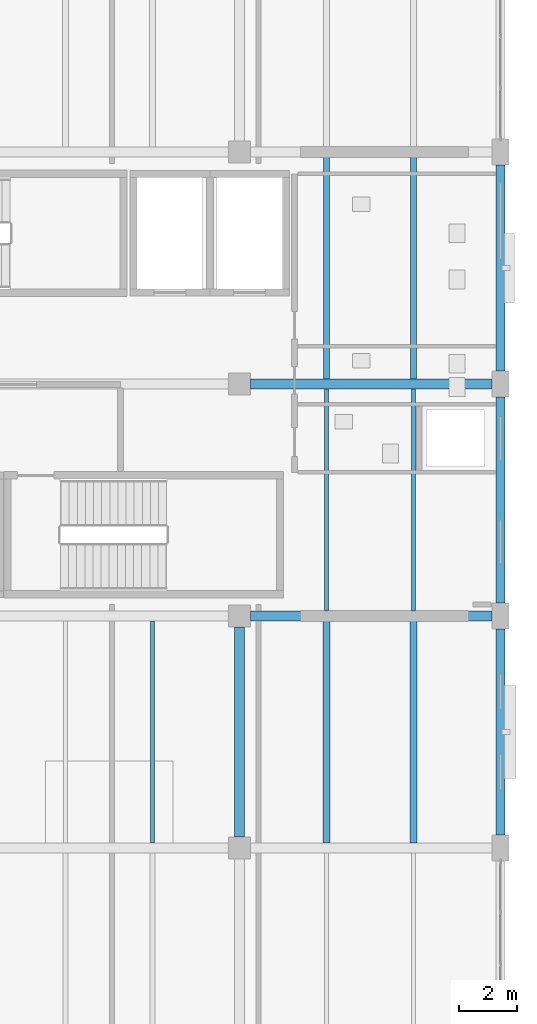
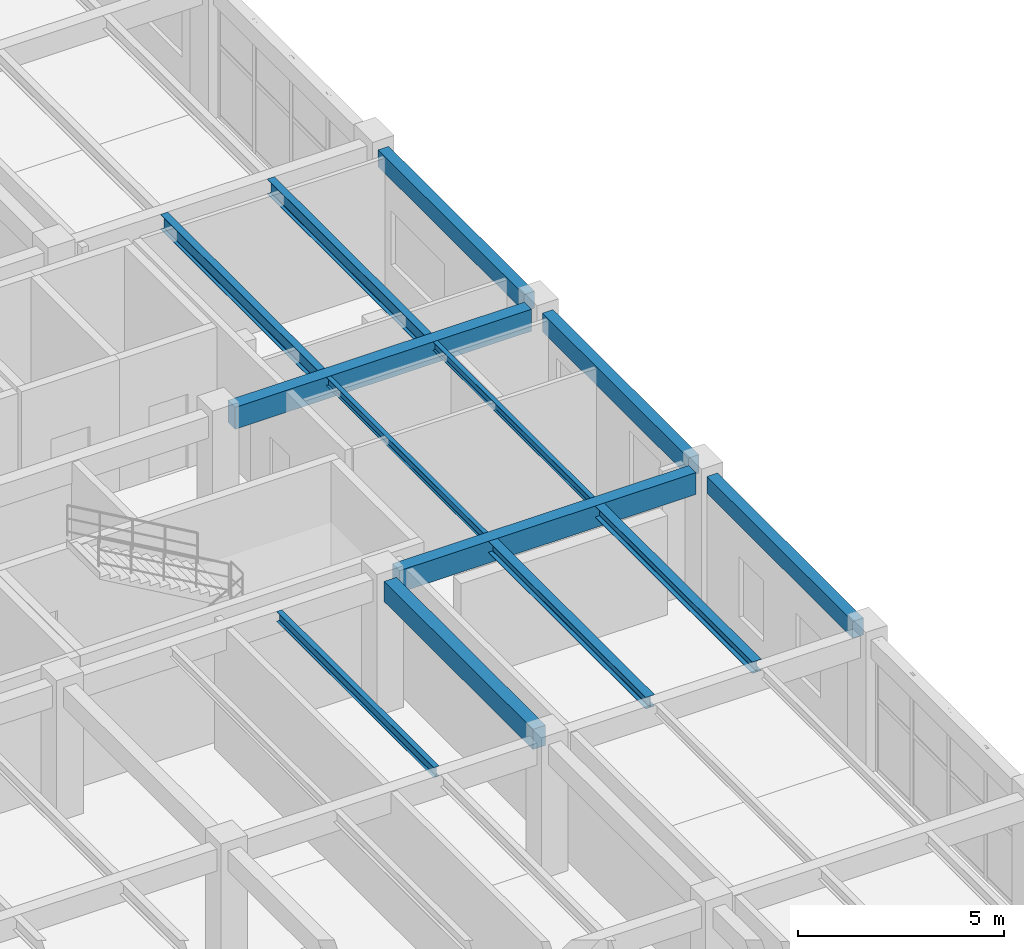
# One storey, part 82 of 128: 13 beams.
"""IFC4 building model written with IfcOpenShell, lengths in metres."""

from ifc_helpers import new_model, si_unit, derived_unit, direction, frame, origin, origin_2d, place, context, subcontext, project, spatial, rectangle, i_section, extrude, material, material_profile, profile_set, type_object, element, save


model = new_model("IFC4")

# Units and contexts
model_context = context("Model", 3, precision=1e-05, world=origin(), true_north=direction((0.0, 1.0)))
body_context = subcontext(model_context, "Body", "Model", "MODEL_VIEW")
ifc_project = project(units=[si_unit("LENGTHUNIT", "METRE"), si_unit("AREAUNIT", "SQUARE_METRE"), si_unit("VOLUMEUNIT", "CUBIC_METRE"), si_unit("PLANEANGLEUNIT", "RADIAN"), si_unit("MASSUNIT", "GRAM", prefix="KILO"), derived_unit("THERMALTRANSMITTANCEUNIT", [(si_unit("MASSUNIT", "GRAM", prefix="KILO"), 1), (si_unit("TIMEUNIT", "SECOND"), -3), (si_unit("THERMODYNAMICTEMPERATUREUNIT", "KELVIN"), -1)])], contexts=[model_context])

# Site, building, storey
site_placement = place(None, origin())
site = spatial("IfcSite", under=ifc_project, at=site_placement, CompositionType="ELEMENT")
building_placement = place(site_placement, origin())
building = spatial("IfcBuilding", under=site, at=building_placement, Name="Zhenchuan Archway Interchange", CompositionType="ELEMENT")
storey_placement = place(building_placement, frame((0.0, 0.0, 14.39990234375)))
storey = spatial("IfcBuildingStorey", under=building, at=storey_placement, Name="L03", CompositionType="ELEMENT", Elevation=14.39990234375)

# Beams
ifc_material_1 = material(Name="Concrete C40", Category="concrete")
ifc_material_profile_1 = material_profile(ifc_material_1, rectangle(XDim=0.35009765625, YDim=0.60009765625, at=origin_2d()), Name="RC 350x600")
ifc_profile_set_1 = profile_set([ifc_material_profile_1], Name="Concrete C40")
beam_type_1 = type_object("IfcBeamType", Name="BM_RC_350x600", PredefinedType="BEAM", material=ifc_profile_set_1)
beam_1_placement = place(storey_placement, frame((162.0, 40.375, 3.630126953125), z_axis=(0.0, 1.0, 0.0), x_axis=(-1.0, 0.0, 0.0)))
element("IfcBeam", 1, at=beam_1_placement, inside=storey, type_object=beam_type_1, Name="Beam 19:F-G (L03)", PredefinedType="BEAM", context=body_context, shape_type="SweptSolid", body=[
    extrude(rectangle(XDim=0.35009765625, YDim=0.60009765625, at=origin_2d()), origin(), (0.0, 0.0, 1.0), 7.25),
])
ifc_material_profile_2 = material_profile(ifc_material_1, rectangle(XDim=0.35009765625, YDim=0.64990234375, at=origin_2d()), Name="RC 350x650")
ifc_profile_set_2 = profile_set([ifc_material_profile_2], Name="Concrete C40")
beam_type_2 = type_object("IfcBeamType", Name="BM_RC_350x650", PredefinedType="BEAM", material=ifc_profile_set_2)
for number, where, z_axis, x_axis, name in (
    (2, (162.375, 48.0, 3.60498046875), (1.0, 0.0, 0.0), (0.0, 1.0, 0.0), "Beam G:19-20 (L03)"),
    (3, (162.375, 56.0, 3.60498046875), (1.0, 0.0, 0.0), (0.0, 1.0, 0.0), "Beam H:19-20 (L03)"),
):
    element("IfcBeam", number, at=place(storey_placement, frame(where, z_axis=z_axis, x_axis=x_axis)), inside=storey, type_object=beam_type_2, Name=name, PredefinedType="BEAM", context=body_context, shape_type="SweptSolid", body=[
        extrude(rectangle(XDim=0.35009765625, YDim=0.64990234375, at=origin_2d()), origin(), (0.0, 0.0, 1.0), 8.324951171875),
    ])
ifc_material_2 = material(Name="Steel Q355", Category="steel")
ifc_material_profile_3 = material_profile(ifc_material_2, i_section(OverallWidth=0.25, OverallDepth=0.340087890625, WebThickness=0.009033203125, FlangeThickness=0.013916015625, FilletRadius=0.01806640625, at=origin_2d()), Name="HM 340x250")
ifc_profile_set_3 = profile_set([ifc_material_profile_3], Name="Steel Q355")
beam_type_3 = type_object("IfcBeamType", Name="JST_STL_HM340", PredefinedType="JOIST", material=ifc_profile_set_3)
for number, where, z_axis, x_axis, name in (
    (4, (165.0, 40.175048828125, 3.760009765625), (0.0, 1.0, 0.0), (-1.0, 0.0, 0.0), "Secondary joist 19-20/F-G #1 (L03)"),
    (5, (168.0, 40.175048828125, 3.760009765625), (0.0, 1.0, 0.0), (-1.0, 0.0, 0.0), "Secondary joist 19-20/F-G #2 (L03)"),
):
    element("IfcBeam", number, at=place(storey_placement, frame(where, z_axis=z_axis, x_axis=x_axis)), inside=storey, type_object=beam_type_3, Name=name, PredefinedType="JOIST", context=body_context, shape_type="SweptSolid", body=[
        extrude(i_section(OverallWidth=0.25, OverallDepth=0.340087890625, WebThickness=0.009033203125, FlangeThickness=0.013916015625, FilletRadius=0.01806640625, at=origin_2d()), origin(), (0.0, 0.0, 1.0), 7.64990234375),
    ])
ifc_material_profile_4 = material_profile(ifc_material_2, i_section(OverallWidth=0.125, OverallDepth=0.25, WebThickness=0.006103515625, FlangeThickness=0.009033203125, FilletRadius=0.011962890625, at=origin_2d()), Name="HN 250x125")
ifc_profile_set_4 = profile_set([ifc_material_profile_4], Name="Steel Q355")
beam_type_4 = type_object("IfcBeamType", Name="JST_STL_HN250", PredefinedType="JOIST", material=ifc_profile_set_4)
for number, where, z_axis, x_axis, name in (
    (6, (165.0, 48.175048828125, 3.80517578125), (0.0, 1.0, 0.0), (-1.0, 0.0, 0.0), "Secondary joist 19-20/G-H #1 (L03)"),
    (7, (168.0, 48.175048828125, 3.80517578125), (0.0, 1.0, 0.0), (-1.0, 0.0, 0.0), "Secondary joist 19-20/G-H #2 (L03)"),
):
    element("IfcBeam", number, at=place(storey_placement, frame(where, z_axis=z_axis, x_axis=x_axis)), inside=storey, type_object=beam_type_4, Name=name, PredefinedType="JOIST", context=body_context, shape_type="SweptSolid", body=[
        extrude(i_section(OverallWidth=0.125, OverallDepth=0.25, WebThickness=0.006103515625, FlangeThickness=0.009033203125, FilletRadius=0.011962890625, at=origin_2d()), origin(), (0.0, 0.0, 1.0), 7.64990234375),
    ])
ifc_material_profile_5 = material_profile(ifc_material_2, i_section(OverallWidth=0.14990234375, OverallDepth=0.300048828125, WebThickness=0.006591796875, FlangeThickness=0.009033203125, FilletRadius=0.012939453125, at=origin_2d()), Name="HN 300x150")
ifc_profile_set_5 = profile_set([ifc_material_profile_5], Name="Steel Q355")
beam_type_5 = type_object("IfcBeamType", Name="JST_STL_HN300", PredefinedType="JOIST", material=ifc_profile_set_5)
beam_2_placement = place(storey_placement, frame((159.0, 40.175048828125, 3.780029296875), z_axis=(0.0, 1.0, 0.0), x_axis=(-1.0, 0.0, 0.0)))
element("IfcBeam", 8, at=beam_2_placement, inside=storey, type_object=beam_type_5, Name="Secondary joist 18-19/F-G #2 (L03)", PredefinedType="JOIST", context=body_context, shape_type="SweptSolid", body=[
    extrude(i_section(OverallWidth=0.14990234375, OverallDepth=0.300048828125, WebThickness=0.006591796875, FlangeThickness=0.009033203125, FilletRadius=0.012939453125, at=origin_2d()), origin(), (0.0, 0.0, 1.0), 7.64990234375),
])
ifc_material_profile_6 = material_profile(ifc_material_2, i_section(OverallWidth=0.199951171875, OverallDepth=0.449951171875, WebThickness=0.009033203125, FlangeThickness=0.013916015625, FilletRadius=0.01806640625, at=origin_2d()), Name="HN 450x200")
ifc_profile_set_6 = profile_set([ifc_material_profile_6], Name="Steel Q355")
beam_type_6 = type_object("IfcBeamType", Name="JST_STL_HN450", PredefinedType="JOIST", material=ifc_profile_set_6)
for number, where, z_axis, x_axis, name in (
    (9, (165.0, 56.175048828125, 3.705078125), (0.0, 1.0, 0.0), (-1.0, 0.0, 0.0), "Secondary joist 19-20/H-J #1 (L03)"),
    (10, (168.0, 56.175048828125, 3.705078125), (0.0, 1.0, 0.0), (-1.0, 0.0, 0.0), "Secondary joist 19-20/H-J #2 (L03)"),
):
    element("IfcBeam", number, at=place(storey_placement, frame(where, z_axis=z_axis, x_axis=x_axis)), inside=storey, type_object=beam_type_6, Name=name, PredefinedType="JOIST", context=body_context, shape_type="SweptSolid", body=[
        extrude(i_section(OverallWidth=0.199951171875, OverallDepth=0.449951171875, WebThickness=0.009033203125, FlangeThickness=0.013916015625, FilletRadius=0.01806640625, at=origin_2d()), origin(), (0.0, 0.0, 1.0), 7.64990234375),
    ])
ifc_material_profile_7 = material_profile(ifc_material_1, rectangle(XDim=0.300048828125, YDim=0.5, at=origin_2d()), Name="RC 300x500")
ifc_profile_set_7 = profile_set([ifc_material_profile_7], Name="Concrete C40")
beam_type_7 = type_object("IfcBeamType", Name="SP_RC_300x500", PredefinedType="SPANDREL", material=ifc_profile_set_7)
for number, where, z_axis, x_axis, name in (
    (11, (171.0, 40.449951171875, 3.68017578125), (0.0, 1.0, 0.0), (-1.0, 0.0, 0.0), "Beam 20:F-G (L03)"),
    (12, (171.0, 56.449951171875, 3.68017578125), (0.0, 1.0, 0.0), (-1.0, 0.0, 0.0), "Beam 20:H-J (L03)"),
):
    element("IfcBeam", number, at=place(storey_placement, frame(where, z_axis=z_axis, x_axis=x_axis)), inside=storey, type_object=beam_type_7, Name=name, PredefinedType="SPANDREL", context=body_context, shape_type="SweptSolid", body=[
        extrude(rectangle(XDim=0.300048828125, YDim=0.5, at=origin_2d()), origin(), (0.0, 0.0, 1.0), 7.10009765625),
    ])
ifc_material_profile_8 = material_profile(ifc_material_1, rectangle(XDim=0.300048828125, YDim=0.550048828125, at=origin_2d()), Name="RC 300x550")
ifc_profile_set_8 = profile_set([ifc_material_profile_8], Name="Concrete C40")
beam_type_8 = type_object("IfcBeamType", Name="SP_RC_300x550", PredefinedType="SPANDREL", material=ifc_profile_set_8)
beam_3_placement = place(storey_placement, frame((171.0, 48.449951171875, 3.655029296875), z_axis=(0.0, 1.0, 0.0), x_axis=(-1.0, 0.0, 0.0)))
element("IfcBeam", 13, at=beam_3_placement, inside=storey, type_object=beam_type_8, Name="Beam 20:G-H (L03)", PredefinedType="SPANDREL", context=body_context, shape_type="SweptSolid", body=[
    extrude(rectangle(XDim=0.300048828125, YDim=0.550048828125, at=origin_2d()), origin(), (0.0, 0.0, 1.0), 7.10009765625),
])

save(model, "model.ifc")
